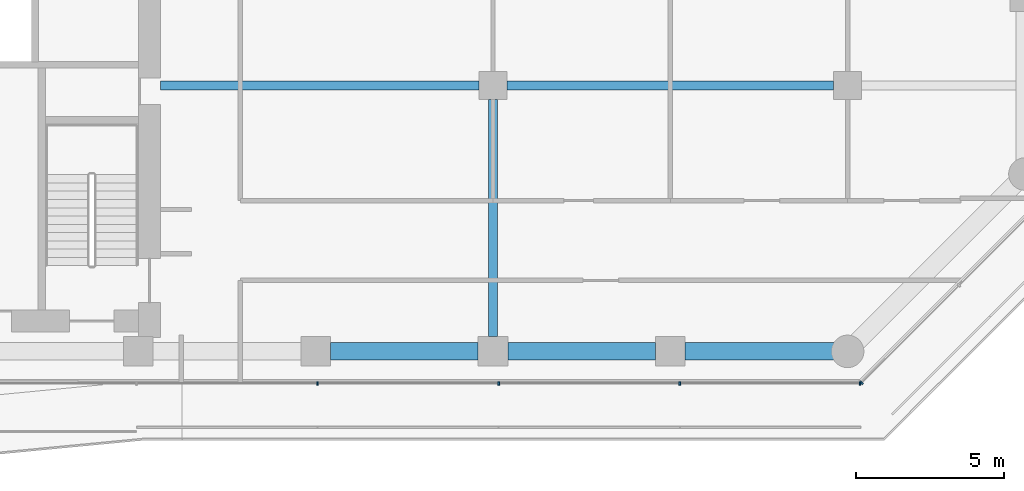
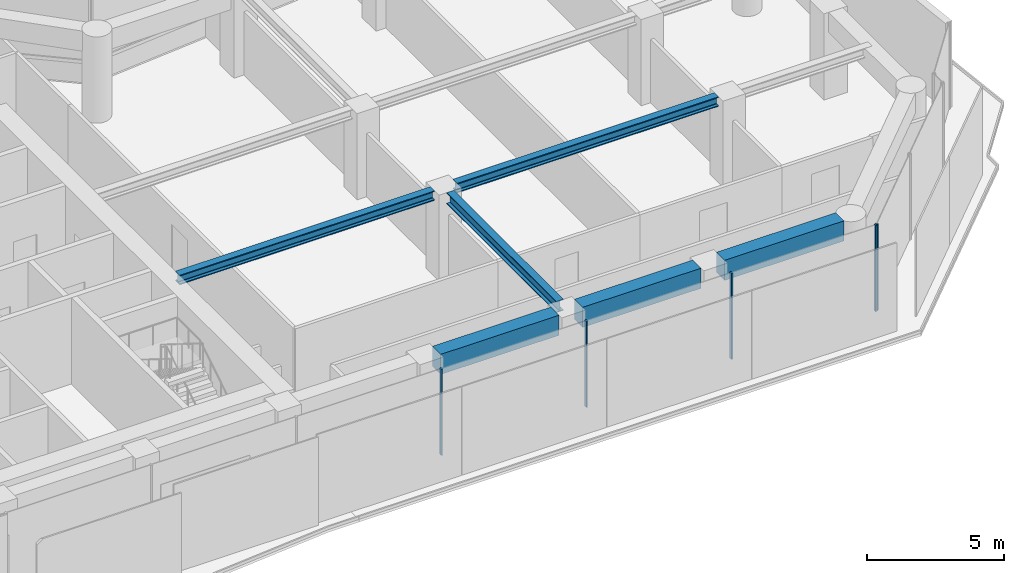
# One storey, part 6 of 28: 6 beams, 5 members, 2 elements without a shape of their own.
"""IFC4 building model written with IfcOpenShell, lengths in metres."""

from ifc_helpers import new_model, si_unit, direction, frame, origin, origin_2d, place, context, subcontext, project, spatial, rectangle, i_section, extrude, material, layer, layer_set, material_profile, profile_set, type_object, element, aggregate, save


model = new_model("IFC4")

# Units and contexts
model_context = context("Model", 3, precision=1e-05, world=origin(), true_north=direction((0.0, 1.0)))
body_context = subcontext(model_context, "Body", "Model", "MODEL_VIEW")
ifc_project = project(units=[si_unit("LENGTHUNIT", "METRE"), si_unit("AREAUNIT", "SQUARE_METRE"), si_unit("VOLUMEUNIT", "CUBIC_METRE"), si_unit("PLANEANGLEUNIT", "RADIAN"), si_unit("MASSUNIT", "GRAM", prefix="KILO")], contexts=[model_context])

# Site, building, storey
site_placement = place(None, origin())
site = spatial("IfcSite", under=ifc_project, at=site_placement, CompositionType="ELEMENT")
building_placement = place(site_placement, origin())
building = spatial("IfcBuilding", under=site, at=building_placement, Name="Welwitschia Terrace Campus", CompositionType="ELEMENT")
storey_placement = place(building_placement, frame((0.0, 0.0, 87.800048828125)))
storey = spatial("IfcBuildingStorey", under=building, at=storey_placement, Name="L19", CompositionType="ELEMENT", Elevation=87.800048828125)

# Beams
ifc_material_1 = material(Name="Steel S355", Category="steel")
ifc_material_profile_1 = material_profile(ifc_material_1, i_section(OverallWidth=0.306884765625, OverallDepth=0.431884765625, WebThickness=0.02099609375, FlangeThickness=0.0400390625, FilletRadius=0.027099609375, at=origin_2d()))
ifc_profile_set_1 = profile_set([ifc_material_profile_1], Name="Steel S355")
beam_type_1 = type_object("IfcBeamType", Name="Interior girder HE 400 M", PredefinedType="BEAM", material=ifc_profile_set_1)
beam_1_placement = place(storey_placement, frame((24.7509765625, 13.0, 3.634033203125), z_axis=(1.0, 0.0, 0.0), x_axis=(0.0, 1.0, 0.0)))
element("IfcBeam", 1, at=beam_1_placement, inside=storey, type_object=beam_type_1, Name="Girder GB3", PredefinedType="BEAM", context=body_context, shape_type="SweptSolid", body=[
    extrude(i_section(OverallWidth=0.306884765625, OverallDepth=0.431884765625, WebThickness=0.02099609375, FlangeThickness=0.0400390625, FilletRadius=0.027099609375, at=origin_2d()), origin(), (0.0, 0.0, 1.0), 10.7734375),
])
beam_2_placement = place(storey_placement, frame((36.4755859375, 13.0, 3.634033203125), z_axis=(1.0, 0.0, 0.0), x_axis=(0.0, 1.0, 0.0)))
element("IfcBeam", 2, at=beam_2_placement, inside=storey, type_object=beam_type_1, Name="Girder GB3", PredefinedType="BEAM", context=body_context, shape_type="SweptSolid", body=[
    extrude(i_section(OverallWidth=0.306884765625, OverallDepth=0.431884765625, WebThickness=0.02099609375, FlangeThickness=0.0400390625, FilletRadius=0.027099609375, at=origin_2d()), origin(), (0.0, 0.0, 1.0), 11.048828125),
])

# Curtain wall, members
ifc_material_2 = material(Name="Bronze anodised aluminium", Category="aluminium")
ifc_layer = layer(ifc_material_2, 0.1201171875)
ifc_layer_set = layer_set([ifc_layer], Name="Bronze anodised aluminium")
curtain_wall_type = type_object("IfcCurtainWallType", Name="Curtain wall CW2 tower 6000", PredefinedType="NOTDEFINED", material=ifc_layer_set)
curtain_wall_1_placement = place(storey_placement, origin())
curtain_wall_1 = element("IfcCurtainWall", 3, at=curtain_wall_1_placement, inside=storey, type_object=curtain_wall_type, Name="CW L19.3.0", PredefinedType="NOTDEFINED")
ifc_material_3 = material(Name="Bronze anodised aluminium", Category="aluminium")
ifc_material_profile_2 = material_profile(ifc_material_3, rectangle(XDim=0.1201171875, YDim=0.06005859375, at=origin_2d()))
ifc_profile_set_2 = profile_set([ifc_material_profile_2], Name="Bronze anodised aluminium")
member_type = type_object("IfcMemberType", Name="Mullion 60x120", PredefinedType="MULLION", material=ifc_profile_set_2)
member_1_placement = place(storey_placement, frame((30.064208984375, 2.9140625, 0.0), z_axis=(0.0, 0.0, 1.0), x_axis=(0.0, 1.0, 0.0)))
member_1 = element("IfcMember", 4, at=member_1_placement, type_object=member_type, Name="Mullion L19.3.0.4", PredefinedType="MULLION", context=body_context, shape_type="SweptSolid", body=[
    extrude(rectangle(XDim=0.1201171875, YDim=0.06005859375, at=origin_2d()), origin(), (0.0, 0.0, 1.0), 3.849853515625),
])
member_2_placement = place(storey_placement, frame((36.19287109375, 2.9140625, 0.0), z_axis=(0.0, 0.0, 1.0), x_axis=(0.0, 1.0, 0.0)))
member_2 = element("IfcMember", 5, at=member_2_placement, type_object=member_type, Name="Mullion L19.3.0.5", PredefinedType="MULLION", context=body_context, shape_type="SweptSolid", body=[
    extrude(rectangle(XDim=0.1201171875, YDim=0.06005859375, at=origin_2d()), origin(), (0.0, 0.0, 1.0), 3.849853515625),
])
member_3_placement = place(storey_placement, frame((42.3212890625, 2.9140625, 0.0), z_axis=(0.0, 0.0, 1.0), x_axis=(0.0, 1.0, 0.0)))
member_3 = element("IfcMember", 6, at=member_3_placement, type_object=member_type, Name="Mullion L19.3.0.6", PredefinedType="MULLION", context=body_context, shape_type="SweptSolid", body=[
    extrude(rectangle(XDim=0.1201171875, YDim=0.06005859375, at=origin_2d()), origin(), (0.0, 0.0, 1.0), 3.849853515625),
])
member_4_placement = place(storey_placement, frame((48.419921875, 2.9140625, 0.0), z_axis=(0.0, 0.0, 1.0), x_axis=(0.0, 1.0, 0.0)))
member_4 = element("IfcMember", 7, at=member_4_placement, type_object=member_type, Name="Mullion L19.3.0.7", PredefinedType="MULLION", context=body_context, shape_type="SweptSolid", body=[
    extrude(rectangle(XDim=0.1201171875, YDim=0.06005859375, at=origin_2d()), origin(), (0.0, 0.0, 1.0), 3.849853515625),
])
aggregate(curtain_wall_1, [member_1, member_2, member_3, member_4])

# Curtain wall, member
curtain_wall_2_placement = place(storey_placement, origin())
curtain_wall_2 = element("IfcCurtainWall", 8, at=curtain_wall_2_placement, inside=storey, type_object=curtain_wall_type, Name="CW L19.4.0", PredefinedType="NOTDEFINED")
member_5_placement = place(storey_placement, frame((48.470947265625, 2.935302734375, 0.0), z_axis=(0.0, 0.0, 1.0), x_axis=(-0.707106781187, 0.707106781187, 0.0)))
member_5 = element("IfcMember", 9, at=member_5_placement, type_object=member_type, Name="Mullion L19.4.0.0", PredefinedType="MULLION", context=body_context, shape_type="SweptSolid", body=[
    extrude(rectangle(XDim=0.1201171875, YDim=0.06005859375, at=origin_2d()), origin(), (0.0, 0.0, 1.0), 3.849853515625),
])
aggregate(curtain_wall_2, [member_5])

# Beams
ifc_material_4 = material(Name="Steel S355", Category="steel")
ifc_material_profile_3 = material_profile(ifc_material_4, i_section(OverallWidth=0.300048828125, OverallDepth=0.5, WebThickness=0.014404296875, FlangeThickness=0.028076171875, FilletRadius=0.027099609375, at=origin_2d()))
ifc_profile_set_3 = profile_set([ifc_material_profile_3], Name="Steel S355")
beam_type_2 = type_object("IfcBeamType", Name="Primary beam HE 500 B", PredefinedType="BEAM", material=ifc_profile_set_3)
beam_3_placement = place(storey_placement, frame((36.0, 4.50048828125, 3.599853515625), z_axis=(0.0, 1.0, 0.0), x_axis=(-1.0, 0.0, 0.0)))
element("IfcBeam", 10, at=beam_3_placement, inside=storey, type_object=beam_type_2, Name="Primary beam PB3", PredefinedType="BEAM", context=body_context, shape_type="SweptSolid", body=[
    extrude(i_section(OverallWidth=0.300048828125, OverallDepth=0.5, WebThickness=0.014404296875, FlangeThickness=0.028076171875, FilletRadius=0.027099609375, at=origin_2d()), origin(), (0.0, 0.0, 1.0), 8.02392578125),
])
ifc_material_5 = material(Name="Concrete C60/75", Category="concrete")
ifc_material_profile_4 = material_profile(ifc_material_5, rectangle(XDim=0.60009765625, YDim=0.89990234375, at=origin_2d()))
ifc_profile_set_4 = profile_set([ifc_material_profile_4], Name="Concrete C60/75")
beam_type_3 = type_object("IfcBeamType", Name="Ring spandrel 600x900", PredefinedType="SPANDREL", material=ifc_profile_set_4)
for number, where, z_axis, x_axis, name in (
    (11, (30.50048828125, 4.0, 3.39990234375), (1.0, 0.0, 0.0), (0.0, 1.0, 0.0), "Spandrel SP2"),
    (12, (36.50048828125, 4.0, 3.39990234375), (1.0, 0.0, 0.0), (0.0, 1.0, 0.0), "Spandrel SP2"),
):
    element("IfcBeam", number, at=place(storey_placement, frame(where, z_axis=z_axis, x_axis=x_axis)), inside=storey, type_object=beam_type_3, Name=name, PredefinedType="SPANDREL", context=body_context, shape_type="SweptSolid", body=[
        extrude(rectangle(XDim=0.60009765625, YDim=0.89990234375, at=origin_2d()), origin(), (0.0, 0.0, 1.0), 4.9990234375),
    ])
beam_4_placement = place(storey_placement, frame((42.50048828125, 4.0, 3.39990234375), z_axis=(1.0, 0.0, 0.0), x_axis=(0.0, 1.0, 0.0)))
element("IfcBeam", 13, at=beam_4_placement, inside=storey, type_object=beam_type_3, Name="Spandrel SP2", PredefinedType="SPANDREL", context=body_context, shape_type="SweptSolid", body=[
    extrude(rectangle(XDim=0.60009765625, YDim=0.89990234375, at=origin_2d()), origin(), (0.0, 0.0, 1.0), 5.0380859375),
])

save(model, "model.ifc")
